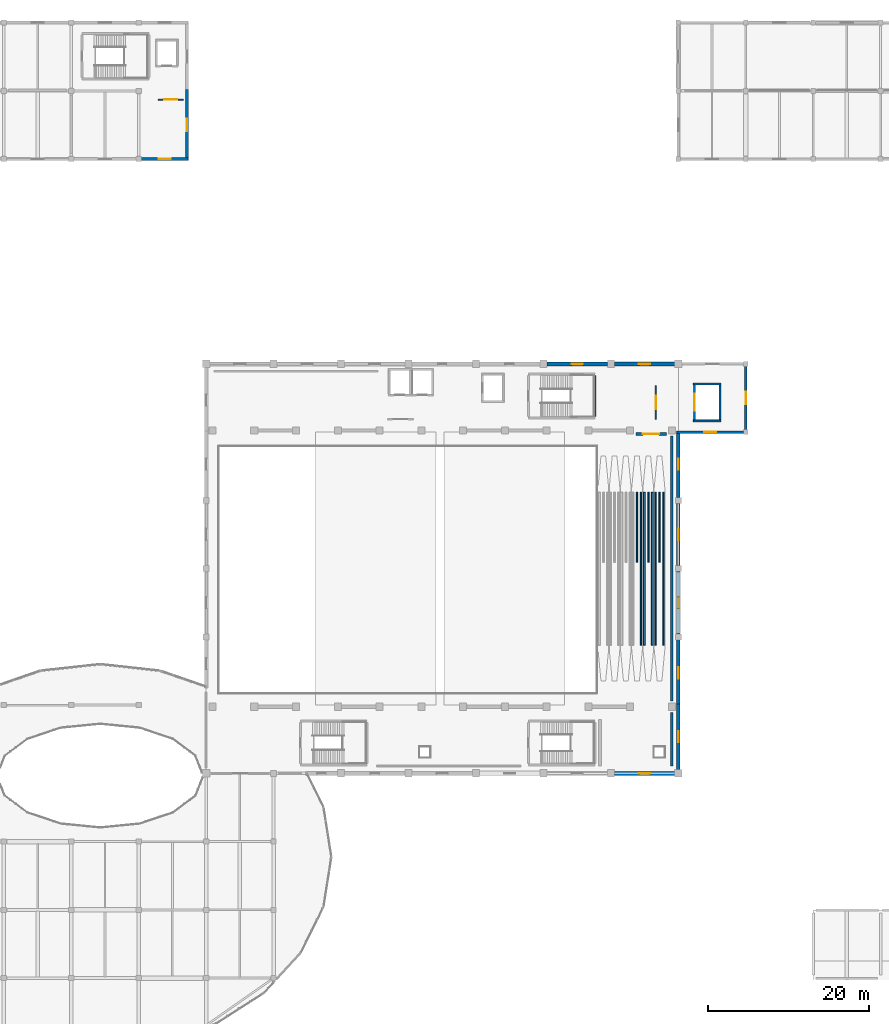
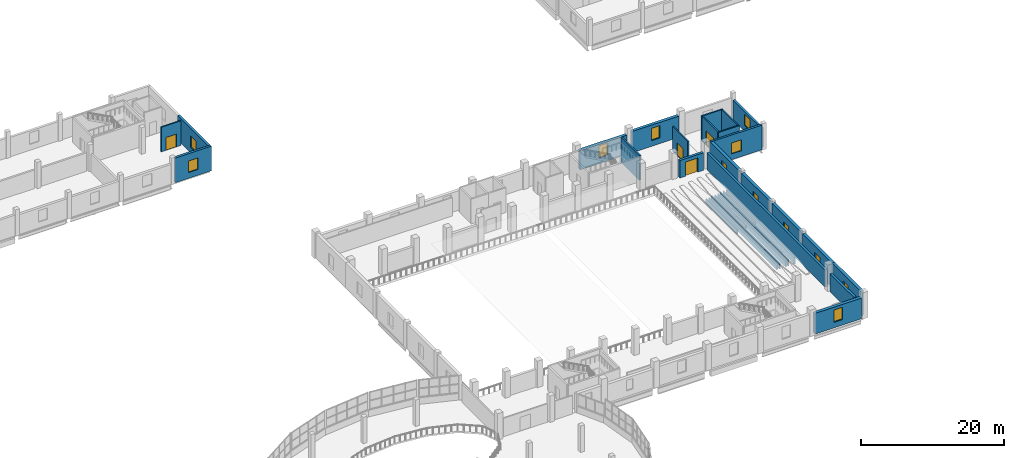
# One storey, part 39 of 50: 30 walls, 12 windows, 4 doors, 16 openings.
"""IFC4 building model written with IfcOpenShell, lengths in metres."""

from ifc_helpers import new_model, si_unit, direction, frame, frame_2d, origin, place, context, subcontext, project, spatial, rectangle, extrude, material, layer, layer_set, type_object, element, fill, save


model = new_model("IFC4")

# Units and contexts
model_context = context("Model", 3, precision=1e-05, world=origin(), true_north=direction((0.0, 1.0)))
body_context = subcontext(model_context, "Body", "Model", "MODEL_VIEW")
ifc_project = project(units=[si_unit("LENGTHUNIT", "METRE"), si_unit("AREAUNIT", "SQUARE_METRE"), si_unit("VOLUMEUNIT", "CUBIC_METRE"), si_unit("PLANEANGLEUNIT", "RADIAN"), si_unit("MASSUNIT", "GRAM", prefix="KILO")], contexts=[model_context])

# Site, building, storey
site_placement = place(None, origin())
site = spatial("IfcSite", under=ifc_project, at=site_placement, CompositionType="ELEMENT")
building_placement = place(site_placement, origin())
building = spatial("IfcBuilding", under=site, at=building_placement, Name="Solvento Point Concert Hall", CompositionType="ELEMENT")
storey_placement = place(building_placement, frame((0.0, 0.0, 15.0)))
storey = spatial("IfcBuildingStorey", under=building, at=storey_placement, Name="L03", CompositionType="ELEMENT", Elevation=15.0)

# Wall, opening, door
ifc_material_1 = material(Name="Acoustic Double-Stud Gypsum Partition")
ifc_layer_1 = layer(ifc_material_1, 0.2080078125)
ifc_layer_set_1 = layer_set([ifc_layer_1], Name="Acoustic Double-Stud Gypsum Partition")
wall_type_1 = type_object("IfcWallType", Name="AcousticPartition_208", PredefinedType="PARTITIONING", material=ifc_layer_set_1)
wall_1_placement = place(storey_placement, frame((68.39990234375, 126.39990234375, 0.0), z_axis=(0.0, 0.0, 1.0), x_axis=(1.0, 0.0, 0.0)))
wall_1 = element("IfcWall", 1, at=wall_1_placement, inside=storey, type_object=wall_type_1, Name="Lift lobby partition LP-03 L03", PredefinedType="PARTITIONING", context=body_context, shape_type="SweptSolid", body=[
    extrude(rectangle(XDim=3.2001953125, YDim=0.2080078125, at=frame_2d((1.60009765625, 0.0))), origin(), (0.0, 0.0, 1.0), 4.2099609375),
])
opening_1_placement = place(wall_1_placement, frame((0.77490234375, 0.0, 0.0)))
opening_1 = element("IfcOpeningElement", 2, at=opening_1_placement, cuts=wall_1, Name="Opening D-FL1", PredefinedType="OPENING", context=body_context, shape_type="SweptSolid", body=[
    extrude(rectangle(XDim=1.64990234375, YDim=2.199951171875, at=frame_2d((0.824951171875, 1.10009765625))), frame((0.0, 0.114013671875, 0.0), z_axis=(0.0, -1.0, 0.0), x_axis=(1.0, 0.0, 0.0)), (0.0, 0.0, 1.0), 0.22802734375),
])
ifc_material_2 = material(Name="Hollow Metal Acoustic Fire Door")
door_type_1 = type_object("IfcDoorType", Name="FireLobbyDoor_1600", OperationType="DOUBLE_DOOR_SINGLE_SWING", PredefinedType="DOOR", material=ifc_material_2)
door_1_placement = place(opening_1_placement, origin())
door_1 = element("IfcDoor", 3, at=door_1_placement, inside=storey, type_object=door_type_1, Name="Lift lobby door LP-03 L03", OperationType="DOUBLE_DOOR_SINGLE_SWING", OverallHeight=2.199951171875, OverallWidth=1.64990234375, PredefinedType="DOOR", context=body_context, shape_type="SweptSolid", body=[
    extrude(rectangle(XDim=1.64990234375, YDim=2.199951171875, at=frame_2d((0.824951171875, 1.10009765625))), frame((0.0, 0.02490234375, 0.0), z_axis=(0.0, -1.0, 0.0), x_axis=(1.0, 0.0, 0.0)), (0.0, 0.0, 1.0), 0.050048828125),
])
fill(opening_1, door_1)

wall_2_placement = place(storey_placement, frame((130.39990234375, 90.800048828125, 0.0), z_axis=(0.0, 0.0, 1.0), x_axis=(0.0, -1.0, 0.0)))
wall_2 = element("IfcWall", 4, at=wall_2_placement, inside=storey, type_object=wall_type_1, Name="Lift lobby partition LG-01 L03", PredefinedType="PARTITIONING", context=body_context, shape_type="SweptSolid", body=[
    extrude(rectangle(XDim=4.199951171875, YDim=0.2080078125, at=frame_2d((2.10009765625, 0.0))), origin(), (0.0, 0.0, 1.0), 4.2099609375),
])
opening_2_placement = place(wall_2_placement, frame((1.27490234375, 0.0, 0.0)))
opening_2 = element("IfcOpeningElement", 5, at=opening_2_placement, cuts=wall_2, Name="Opening D-FL1", PredefinedType="OPENING", context=body_context, shape_type="SweptSolid", body=[
    extrude(rectangle(XDim=1.64990234375, YDim=2.199951171875, at=frame_2d((0.824951171875, 1.10009765625))), frame((0.0, 0.114013671875, 0.0), z_axis=(0.0, -1.0, 0.0), x_axis=(1.0, 0.0, 0.0)), (0.0, 0.0, 1.0), 0.22802734375),
])
door_2_placement = place(opening_2_placement, origin())
door_2 = element("IfcDoor", 6, at=door_2_placement, inside=storey, type_object=door_type_1, Name="Lift lobby door LG-01 L03", OperationType="DOUBLE_DOOR_SINGLE_SWING", OverallHeight=2.199951171875, OverallWidth=1.64990234375, PredefinedType="DOOR", context=body_context, shape_type="SweptSolid", body=[
    extrude(rectangle(XDim=1.64990234375, YDim=2.199951171875, at=frame_2d((0.824951171875, 1.10009765625))), frame((0.0, 0.02490234375, 0.0), z_axis=(0.0, -1.0, 0.0), x_axis=(1.0, 0.0, 0.0)), (0.0, 0.0, 1.0), 0.050048828125),
])
fill(opening_2, door_2)

# Walls
ifc_material_3 = material(Name="Acoustic Double-Stud Gypsum Partition")
ifc_layer_2 = layer(ifc_material_3, 0.364990234375)
ifc_layer_set_2 = layer_set([ifc_layer_2], Name="Acoustic Double-Stud Gypsum Partition")
wall_type_2 = type_object("IfcWallType", Name="AcousticPartition_365", PredefinedType="PARTITIONING", material=ifc_layer_set_2)
wall_3_placement = place(storey_placement, frame((132.3798828125, 84.5, 0.0), z_axis=(0.0, 0.0, 1.0), x_axis=(0.0, -1.0, 0.0)))
element("IfcWall", 7, at=wall_3_placement, inside=storey, type_object=wall_type_2, Name="Interior acoustic partition PW-43 L03", PredefinedType="PARTITIONING", context=body_context, shape_type="SweptSolid", body=[
    extrude(rectangle(XDim=33.0, YDim=0.364990234375, at=frame_2d((16.5, 0.0))), origin(), (0.0, 0.0, 1.0), 2.887939453125),
])
wall_4_placement = place(storey_placement, frame((132.3798828125, 50.10009765625, 0.0), z_axis=(0.0, 0.0, 1.0), x_axis=(0.0, -1.0, 0.0)))
element("IfcWall", 8, at=wall_4_placement, inside=storey, type_object=wall_type_2, Name="Interior acoustic partition PW-43 L03", PredefinedType="PARTITIONING", context=body_context, shape_type="SweptSolid", body=[
    extrude(rectangle(XDim=6.68017578125, YDim=0.364990234375, at=frame_2d((3.340087890625, 0.0))), origin(), (0.0, 0.0, 1.0), 3.1298828125),
])

# Wall, opening, door
wall_5_placement = place(storey_placement, frame((131.699951171875, 84.780029296875, 0.0), z_axis=(0.0, 0.0, 1.0), x_axis=(-1.0, 0.0, 0.0)))
wall_5 = element("IfcWall", 9, at=wall_5_placement, inside=storey, type_object=wall_type_2, Name="Interior acoustic partition PW-43 L03", PredefinedType="PARTITIONING", context=body_context, shape_type="SweptSolid", body=[
    extrude(rectangle(XDim=3.800048828125, YDim=0.364990234375, at=frame_2d((1.89990234375, 0.0))), origin(), (0.0, 0.0, 1.0), 2.988037109375),
])
opening_3_placement = place(wall_5_placement, frame((0.89990234375, 0.0, 0.0)))
opening_3 = element("IfcOpeningElement", 10, at=opening_3_placement, cuts=wall_5, Name="Opening D-AC1", PredefinedType="OPENING", context=body_context, shape_type="SweptSolid", body=[
    extrude(rectangle(XDim=2.0, YDim=2.39990234375, at=frame_2d((1.0, 1.199951171875))), frame((0.0, 0.1923828125, 0.0), z_axis=(0.0, -1.0, 0.0), x_axis=(1.0, 0.0, 0.0)), (0.0, 0.0, 1.0), 0.385009765625),
])
ifc_material_4 = material(Name="Brazilian Hardwood Acoustic Door", Category="wood")
door_type_2 = type_object("IfcDoorType", Name="AcousticLockDoor_2000", OperationType="DOUBLE_DOOR_SINGLE_SWING", PredefinedType="DOOR", material=ifc_material_4)
door_3_placement = place(opening_3_placement, origin())
door_3 = element("IfcDoor", 11, at=door_3_placement, inside=storey, type_object=door_type_2, Name="Interior door D-AC1 L03", OperationType="SINGLE_SWING_RIGHT", OverallHeight=2.39990234375, OverallWidth=2.0, PredefinedType="DOOR", context=body_context, shape_type="SweptSolid", body=[
    extrude(rectangle(XDim=2.0, YDim=2.39990234375, at=frame_2d((1.0, 1.199951171875))), frame((0.0, 0.02490234375, 0.0), z_axis=(0.0, -1.0, 0.0), x_axis=(1.0, 0.0, 0.0)), (0.0, 0.0, 1.0), 0.050048828125),
])
fill(opening_3, door_3)

# Walls
ifc_material_5 = material(Name="Concrete C40/50", Category="concrete")
ifc_layer_3 = layer(ifc_material_5, 0.300048828125)
ifc_layer_set_3 = layer_set([ifc_layer_3], Name="Concrete C40/50")
wall_type_3 = type_object("IfcWallType", Name="CoreShearWall_300", PredefinedType="SHEAR", material=ifc_layer_set_3)
wall_6_placement = place(storey_placement, frame((122.85009765625, 92.050048828125, 0.0), z_axis=(0.0, 0.0, 1.0), x_axis=(0.0, -1.0, 0.0)))
element("IfcWall", 12, at=wall_6_placement, inside=storey, type_object=wall_type_3, Name="Stair core shear wall W-SH1 ST-03 L03", PredefinedType="SHEAR", context=body_context, shape_type="SweptSolid", body=[
    extrude(rectangle(XDim=5.10009765625, YDim=0.25, at=frame_2d((2.550048828125, 0.0))), origin(), (0.0, 0.0, 1.0), 4.2099609375),
])
for number, where, z_axis, x_axis, name in (
    (13, (135.090087890625, 86.39990234375, 0.0), (0.0, 0.0, 1.0), (1.0, 0.0, 0.0), "Elevator shaft shear wall W-SH1 LG-01 L03"),
    (14, (135.090087890625, 91.0, 0.0), (0.0, 0.0, 1.0), (1.0, 0.0, 0.0), "Elevator shaft shear wall W-SH1 LG-01 L03"),
):
    element("IfcWall", number, at=place(storey_placement, frame(where, z_axis=z_axis, x_axis=x_axis)), inside=storey, type_object=wall_type_3, Name=name, PredefinedType="SHEAR", context=body_context, shape_type="SweptSolid", body=[
        extrude(rectangle(XDim=3.419921875, YDim=0.219970703125, at=frame_2d((1.7099609375, 0.0))), origin(), (0.0, 0.0, 1.0), 4.2099609375),
    ])

# Wall, opening, door
wall_7_placement = place(storey_placement, frame((135.199951171875, 86.510009765625, 0.0), z_axis=(0.0, 0.0, 1.0), x_axis=(0.0, 1.0, 0.0)))
wall_7 = element("IfcWall", 15, at=wall_7_placement, inside=storey, type_object=wall_type_3, Name="Elevator shaft shear wall W-SH1 LG-01 L03", PredefinedType="SHEAR", context=body_context, shape_type="SweptSolid", body=[
    extrude(rectangle(XDim=4.3798828125, YDim=0.219970703125, at=frame_2d((2.18994140625, 0.0))), origin(), (0.0, 0.0, 1.0), 4.2099609375),
])
opening_4_placement = place(wall_7_placement, frame((1.139892578125, 0.0, 0.0)))
opening_4 = element("IfcOpeningElement", 16, at=opening_4_placement, cuts=wall_7, Name="Opening LD-03", PredefinedType="OPENING", context=body_context, shape_type="SweptSolid", body=[
    extrude(rectangle(XDim=2.10009765625, YDim=2.449951171875, at=frame_2d((1.050048828125, 1.22509765625))), frame((0.0, 0.119873046875, 0.0), z_axis=(0.0, -1.0, 0.0), x_axis=(1.0, 0.0, 0.0)), (0.0, 0.0, 1.0), 0.239990234375),
])
ifc_material_6 = material(Name="Hollow Metal Acoustic Fire Door")
door_type_3 = type_object("IfcDoorType", Name="LiftLandingDoor_Goods", OperationType="DOUBLE_DOOR_SLIDING", PredefinedType="DOOR", material=ifc_material_6)
door_4_placement = place(opening_4_placement, origin())
door_4 = element("IfcDoor", 17, at=door_4_placement, inside=storey, type_object=door_type_3, Name="Elevator landing door LG-01 L03", OperationType="DOUBLE_DOOR_SLIDING", OverallHeight=2.449951171875, OverallWidth=2.10009765625, PredefinedType="DOOR", context=body_context, shape_type="SweptSolid", body=[
    extrude(rectangle(XDim=2.10009765625, YDim=2.449951171875, at=frame_2d((1.050048828125, 1.22509765625))), frame((0.0, 0.02490234375, 0.0), z_axis=(0.0, -1.0, 0.0), x_axis=(1.0, 0.0, 0.0)), (0.0, 0.0, 1.0), 0.050048828125),
])
fill(opening_4, door_4)

# Wall
wall_8_placement = place(storey_placement, frame((138.39990234375, 86.510009765625, 0.0), z_axis=(0.0, 0.0, 1.0), x_axis=(0.0, 1.0, 0.0)))
element("IfcWall", 18, at=wall_8_placement, inside=storey, type_object=wall_type_3, Name="Elevator shaft shear wall W-SH1 LG-01 L03", PredefinedType="SHEAR", context=body_context, shape_type="SweptSolid", body=[
    extrude(rectangle(XDim=4.3798828125, YDim=0.219970703125, at=frame_2d((2.18994140625, 0.0))), origin(), (0.0, 0.0, 1.0), 4.2099609375),
])

# Wall, opening, window
ifc_material_7 = material(Name="Concrete C40/50", Category="concrete")
ifc_layer_4 = layer(ifc_material_7, 0.47998046875)
ifc_layer_set_4 = layer_set([ifc_layer_4], Name="Concrete C40/50")
wall_type_4 = type_object("IfcWallType", Name="ExtWall_V1_Drum_480", PredefinedType="SOLIDWALL", material=ifc_layer_set_4)
wall_9_placement = place(storey_placement, frame((116.830078125, 93.5, 0.0), z_axis=(0.0, 0.0, 1.0), x_axis=(1.0, 0.0, 0.0)))
wall_9 = element("IfcWall", 19, at=wall_9_placement, inside=storey, type_object=wall_type_4, Name="Exterior architectural concrete wall EW-46 L03", PredefinedType="SOLIDWALL", context=body_context, shape_type="SweptSolid", body=[
    extrude(rectangle(XDim=7.5400390625, YDim=0.47998046875, at=frame_2d((3.77001953125, 0.0))), origin(), (0.0, 0.0, 1.0), 3.2939453125),
])
opening_5_placement = place(wall_9_placement, frame((3.070068359375, 0.0, 0.949951171875)))
opening_5 = element("IfcOpeningElement", 20, at=opening_5_placement, cuts=wall_9, Name="Opening WN-52", PredefinedType="OPENING", context=body_context, shape_type="SweptSolid", body=[
    extrude(rectangle(XDim=1.39990234375, YDim=2.10009765625, at=frame_2d((0.699951171875, 1.050048828125))), frame((0.0, 0.25, 0.0), z_axis=(0.0, -1.0, 0.0), x_axis=(1.0, 0.0, 0.0)), (0.0, 0.0, 1.0), 0.5),
])
ifc_material_8 = material(Name="Hurricane Laminated Low-E Glass", Category="glass")
window_type_1 = type_object("IfcWindowType", Name="Win_V1_VineyardSlot_L03", PartitioningType="SINGLE_PANEL", PredefinedType="WINDOW", material=ifc_material_8)
window_1_placement = place(opening_5_placement, origin())
window_1 = element("IfcWindow", 21, at=window_1_placement, inside=storey, type_object=window_type_1, Name="Impact acoustic window WN-52", OverallHeight=2.10009765625, OverallWidth=1.39990234375, PartitioningType="SINGLE_PANEL", PredefinedType="WINDOW", context=body_context, shape_type="SweptSolid", body=[
    extrude(rectangle(XDim=1.39990234375, YDim=2.10009765625, at=frame_2d((0.699951171875, 1.050048828125))), frame((0.0, 0.030029296875, 0.0), z_axis=(0.0, -1.0, 0.0), x_axis=(1.0, 0.0, 0.0)), (0.0, 0.0, 1.0), 0.06005859375),
])
fill(opening_5, window_1)

wall_10_placement = place(storey_placement, frame((125.22998046875, 93.5, 0.0), z_axis=(0.0, 0.0, 1.0), x_axis=(1.0, 0.0, 0.0)))
wall_10 = element("IfcWall", 22, at=wall_10_placement, inside=storey, type_object=wall_type_4, Name="Exterior architectural concrete wall EW-46 L03", PredefinedType="SOLIDWALL", context=body_context, shape_type="SweptSolid", body=[
    extrude(rectangle(XDim=7.5400390625, YDim=0.47998046875, at=frame_2d((3.77001953125, 0.0))), origin(), (0.0, 0.0, 1.0), 3.615966796875),
])
opening_6_placement = place(wall_10_placement, frame((3.070068359375, 0.0, 0.949951171875)))
opening_6 = element("IfcOpeningElement", 23, at=opening_6_placement, cuts=wall_10, Name="Opening WN-52", PredefinedType="OPENING", context=body_context, shape_type="SweptSolid", body=[
    extrude(rectangle(XDim=1.39990234375, YDim=2.10009765625, at=frame_2d((0.699951171875, 1.050048828125))), frame((0.0, 0.25, 0.0), z_axis=(0.0, -1.0, 0.0), x_axis=(1.0, 0.0, 0.0)), (0.0, 0.0, 1.0), 0.5),
])
window_2_placement = place(opening_6_placement, origin())
window_2 = element("IfcWindow", 24, at=window_2_placement, inside=storey, type_object=window_type_1, Name="Impact acoustic window WN-52", OverallHeight=2.10009765625, OverallWidth=1.39990234375, PartitioningType="SINGLE_PANEL", PredefinedType="WINDOW", context=body_context, shape_type="SweptSolid", body=[
    extrude(rectangle(XDim=1.39990234375, YDim=2.10009765625, at=frame_2d((0.699951171875, 1.050048828125))), frame((0.0, 0.030029296875, 0.0), z_axis=(0.0, -1.0, 0.0), x_axis=(1.0, 0.0, 0.0)), (0.0, 0.0, 1.0), 0.06005859375),
])
fill(opening_6, window_2)

wall_11_placement = place(storey_placement, frame((133.199951171875, 51.159912109375, 0.0), z_axis=(0.0, 0.0, 1.0), x_axis=(0.0, -1.0, 0.0)))
wall_11 = element("IfcWall", 25, at=wall_11_placement, inside=storey, type_object=wall_type_4, Name="Exterior architectural concrete wall EW-46 L03", PredefinedType="SOLIDWALL", context=body_context, shape_type="SweptSolid", body=[
    extrude(rectangle(XDim=8.22998046875, YDim=0.47998046875, at=frame_2d((4.114990234375, 0.0))), origin(), (0.0, 0.0, 1.0), 4.2099609375),
])
opening_7_placement = place(wall_11_placement, frame((3.4150390625, 0.0, 0.949951171875)))
opening_7 = element("IfcOpeningElement", 26, at=opening_7_placement, cuts=wall_11, Name="Opening WN-52", PredefinedType="OPENING", context=body_context, shape_type="SweptSolid", body=[
    extrude(rectangle(XDim=1.39990234375, YDim=2.10009765625, at=frame_2d((0.699951171875, 1.050048828125))), frame((0.0, 0.25, 0.0), z_axis=(0.0, -1.0, 0.0), x_axis=(1.0, 0.0, 0.0)), (0.0, 0.0, 1.0), 0.5),
])
window_3_placement = place(opening_7_placement, origin())
window_3 = element("IfcWindow", 27, at=window_3_placement, inside=storey, type_object=window_type_1, Name="Impact acoustic window WN-52", OverallHeight=2.10009765625, OverallWidth=1.39990234375, PartitioningType="SINGLE_PANEL", PredefinedType="WINDOW", context=body_context, shape_type="SweptSolid", body=[
    extrude(rectangle(XDim=1.39990234375, YDim=2.10009765625, at=frame_2d((0.699951171875, 1.050048828125))), frame((0.0, 0.030029296875, 0.0), z_axis=(0.0, -1.0, 0.0), x_axis=(1.0, 0.0, 0.0)), (0.0, 0.0, 1.0), 0.06005859375),
])
fill(opening_7, window_3)

wall_12_placement = place(storey_placement, frame((133.199951171875, 59.14501953125, 0.0), z_axis=(0.0, 0.0, 1.0), x_axis=(0.0, -1.0, 0.0)))
wall_12 = element("IfcWall", 28, at=wall_12_placement, inside=storey, type_object=wall_type_4, Name="Exterior architectural concrete wall EW-46 L03", PredefinedType="SOLIDWALL", context=body_context, shape_type="SweptSolid", body=[
    extrude(rectangle(XDim=8.304931640625, YDim=0.47998046875, at=frame_2d((4.15234375, 0.0))), origin(), (0.0, 0.0, 1.0), 4.2099609375),
])
opening_8_placement = place(wall_12_placement, frame((3.452392578125, 0.0, 0.949951171875)))
opening_8 = element("IfcOpeningElement", 29, at=opening_8_placement, cuts=wall_12, Name="Opening WN-52", PredefinedType="OPENING", context=body_context, shape_type="SweptSolid", body=[
    extrude(rectangle(XDim=1.39990234375, YDim=2.10009765625, at=frame_2d((0.699951171875, 1.050048828125))), frame((0.0, 0.25, 0.0), z_axis=(0.0, -1.0, 0.0), x_axis=(1.0, 0.0, 0.0)), (0.0, 0.0, 1.0), 0.5),
])
window_4_placement = place(opening_8_placement, origin())
window_4 = element("IfcWindow", 30, at=window_4_placement, inside=storey, type_object=window_type_1, Name="Impact acoustic window WN-52", OverallHeight=2.10009765625, OverallWidth=1.39990234375, PartitioningType="SINGLE_PANEL", PredefinedType="WINDOW", context=body_context, shape_type="SweptSolid", body=[
    extrude(rectangle(XDim=1.39990234375, YDim=2.10009765625, at=frame_2d((0.699951171875, 1.050048828125))), frame((0.0, 0.030029296875, 0.0), z_axis=(0.0, -1.0, 0.0), x_axis=(1.0, 0.0, 0.0)), (0.0, 0.0, 1.0), 0.06005859375),
])
fill(opening_8, window_4)

wall_13_placement = place(storey_placement, frame((133.199951171875, 67.64501953125, 0.0), z_axis=(0.0, 0.0, 1.0), x_axis=(0.0, -1.0, 0.0)))
wall_13 = element("IfcWall", 31, at=wall_13_placement, inside=storey, type_object=wall_type_4, Name="Exterior architectural concrete wall EW-46 L03", PredefinedType="SOLIDWALL", context=body_context, shape_type="SweptSolid", body=[
    extrude(rectangle(XDim=7.7900390625, YDim=0.47998046875, at=frame_2d((3.89501953125, 0.0))), origin(), (0.0, 0.0, 1.0), 4.2099609375),
])
opening_9_placement = place(wall_13_placement, frame((3.195068359375, 0.0, 0.949951171875)))
opening_9 = element("IfcOpeningElement", 32, at=opening_9_placement, cuts=wall_13, Name="Opening WN-52", PredefinedType="OPENING", context=body_context, shape_type="SweptSolid", body=[
    extrude(rectangle(XDim=1.39990234375, YDim=2.10009765625, at=frame_2d((0.699951171875, 1.050048828125))), frame((0.0, 0.25, 0.0), z_axis=(0.0, -1.0, 0.0), x_axis=(1.0, 0.0, 0.0)), (0.0, 0.0, 1.0), 0.5),
])
window_5_placement = place(opening_9_placement, origin())
window_5 = element("IfcWindow", 33, at=window_5_placement, inside=storey, type_object=window_type_1, Name="Impact acoustic window WN-52", OverallHeight=2.10009765625, OverallWidth=1.39990234375, PartitioningType="SINGLE_PANEL", PredefinedType="WINDOW", context=body_context, shape_type="SweptSolid", body=[
    extrude(rectangle(XDim=1.39990234375, YDim=2.10009765625, at=frame_2d((0.699951171875, 1.050048828125))), frame((0.0, 0.030029296875, 0.0), z_axis=(0.0, -1.0, 0.0), x_axis=(1.0, 0.0, 0.0)), (0.0, 0.0, 1.0), 0.06005859375),
])
fill(opening_9, window_5)

wall_14_placement = place(storey_placement, frame((133.199951171875, 76.14501953125, 0.0), z_axis=(0.0, 0.0, 1.0), x_axis=(0.0, -1.0, 0.0)))
wall_14 = element("IfcWall", 34, at=wall_14_placement, inside=storey, type_object=wall_type_4, Name="Exterior architectural concrete wall EW-46 L03", PredefinedType="SOLIDWALL", context=body_context, shape_type="SweptSolid", body=[
    extrude(rectangle(XDim=7.7900390625, YDim=0.47998046875, at=frame_2d((3.89501953125, 0.0))), origin(), (0.0, 0.0, 1.0), 4.2099609375),
])
opening_10_placement = place(wall_14_placement, frame((3.195068359375, 0.0, 0.949951171875)))
opening_10 = element("IfcOpeningElement", 35, at=opening_10_placement, cuts=wall_14, Name="Opening WN-52", PredefinedType="OPENING", context=body_context, shape_type="SweptSolid", body=[
    extrude(rectangle(XDim=1.39990234375, YDim=2.10009765625, at=frame_2d((0.699951171875, 1.050048828125))), frame((0.0, 0.25, 0.0), z_axis=(0.0, -1.0, 0.0), x_axis=(1.0, 0.0, 0.0)), (0.0, 0.0, 1.0), 0.5),
])
window_6_placement = place(opening_10_placement, origin())
window_6 = element("IfcWindow", 36, at=window_6_placement, inside=storey, type_object=window_type_1, Name="Impact acoustic window WN-52", OverallHeight=2.10009765625, OverallWidth=1.39990234375, PartitioningType="SINGLE_PANEL", PredefinedType="WINDOW", context=body_context, shape_type="SweptSolid", body=[
    extrude(rectangle(XDim=1.39990234375, YDim=2.10009765625, at=frame_2d((0.699951171875, 1.050048828125))), frame((0.0, 0.030029296875, 0.0), z_axis=(0.0, -1.0, 0.0), x_axis=(1.0, 0.0, 0.0)), (0.0, 0.0, 1.0), 0.06005859375),
])
fill(opening_10, window_6)

wall_15_placement = place(storey_placement, frame((133.199951171875, 85.159912109375, 0.0), z_axis=(0.0, 0.0, 1.0), x_axis=(0.0, -1.0, 0.0)))
wall_15 = element("IfcWall", 37, at=wall_15_placement, inside=storey, type_object=wall_type_4, Name="Exterior architectural concrete wall EW-46 L03", PredefinedType="SOLIDWALL", context=body_context, shape_type="SweptSolid", body=[
    extrude(rectangle(XDim=8.304931640625, YDim=0.47998046875, at=frame_2d((4.15234375, 0.0))), origin(), (0.0, 0.0, 1.0), 4.2099609375),
])
opening_11_placement = place(wall_15_placement, frame((3.452392578125, 0.0, 0.949951171875)))
opening_11 = element("IfcOpeningElement", 38, at=opening_11_placement, cuts=wall_15, Name="Opening WN-52", PredefinedType="OPENING", context=body_context, shape_type="SweptSolid", body=[
    extrude(rectangle(XDim=1.39990234375, YDim=2.10009765625, at=frame_2d((0.699951171875, 1.050048828125))), frame((0.0, 0.25, 0.0), z_axis=(0.0, -1.0, 0.0), x_axis=(1.0, 0.0, 0.0)), (0.0, 0.0, 1.0), 0.5),
])
window_7_placement = place(opening_11_placement, origin())
window_7 = element("IfcWindow", 39, at=window_7_placement, inside=storey, type_object=window_type_1, Name="Impact acoustic window WN-52", OverallHeight=2.10009765625, OverallWidth=1.39990234375, PartitioningType="SINGLE_PANEL", PredefinedType="WINDOW", context=body_context, shape_type="SweptSolid", body=[
    extrude(rectangle(XDim=1.39990234375, YDim=2.10009765625, at=frame_2d((0.699951171875, 1.050048828125))), frame((0.0, 0.030029296875, 0.0), z_axis=(0.0, -1.0, 0.0), x_axis=(1.0, 0.0, 0.0)), (0.0, 0.0, 1.0), 0.06005859375),
])
fill(opening_11, window_7)

wall_16_placement = place(storey_placement, frame((132.77001953125, 42.5, 0.0), z_axis=(0.0, 0.0, 1.0), x_axis=(-1.0, 0.0, 0.0)))
wall_16 = element("IfcWall", 40, at=wall_16_placement, inside=storey, type_object=wall_type_4, Name="Exterior architectural concrete wall EW-46 L03", PredefinedType="SOLIDWALL", context=body_context, shape_type="SweptSolid", body=[
    extrude(rectangle(XDim=7.5400390625, YDim=0.47998046875, at=frame_2d((3.77001953125, 0.0))), origin(), (0.0, 0.0, 1.0), 3.531005859375),
])
opening_12_placement = place(wall_16_placement, frame((3.070068359375, 0.0, 0.949951171875)))
opening_12 = element("IfcOpeningElement", 41, at=opening_12_placement, cuts=wall_16, Name="Opening WN-52", PredefinedType="OPENING", context=body_context, shape_type="SweptSolid", body=[
    extrude(rectangle(XDim=1.39990234375, YDim=2.10009765625, at=frame_2d((0.699951171875, 1.050048828125))), frame((0.0, 0.25, 0.0), z_axis=(0.0, -1.0, 0.0), x_axis=(1.0, 0.0, 0.0)), (0.0, 0.0, 1.0), 0.5),
])
window_8_placement = place(opening_12_placement, origin())
window_8 = element("IfcWindow", 42, at=window_8_placement, inside=storey, type_object=window_type_1, Name="Impact acoustic window WN-52", OverallHeight=2.10009765625, OverallWidth=1.39990234375, PartitioningType="SINGLE_PANEL", PredefinedType="WINDOW", context=body_context, shape_type="SweptSolid", body=[
    extrude(rectangle(XDim=1.39990234375, YDim=2.10009765625, at=frame_2d((0.699951171875, 1.050048828125))), frame((0.0, 0.030029296875, 0.0), z_axis=(0.0, -1.0, 0.0), x_axis=(1.0, 0.0, 0.0)), (0.0, 0.0, 1.0), 0.06005859375),
])
fill(opening_12, window_8)

ifc_material_9 = material(Name="Concrete C40/50", Category="concrete")
ifc_layer_5 = layer(ifc_material_9, 0.3701171875)
ifc_layer_set_5 = layer_set([ifc_layer_5], Name="Concrete C40/50")
wall_type_5 = type_object("IfcWallType", Name="ExtWall_V4_Reh_370", PredefinedType="SOLIDWALL", material=ifc_layer_set_5)
wall_17_placement = place(storey_placement, frame((72.0, 127.659912109375, 0.0), z_axis=(0.0, 0.0, 1.0), x_axis=(0.0, -1.0, 0.0)))
wall_17 = element("IfcWall", 43, at=wall_17_placement, inside=storey, type_object=wall_type_5, Name="Exterior architectural concrete wall EW-85 L03", PredefinedType="SOLIDWALL", context=body_context, shape_type="SweptSolid", body=[
    extrude(rectangle(XDim=8.81982421875, YDim=0.3701171875, at=frame_2d((4.409912109375, 0.0))), origin(), (0.0, 0.0, 1.0), 4.2099609375),
])
opening_13_placement = place(wall_17_placement, frame((3.659912109375, 0.0, 1.0)))
opening_13 = element("IfcOpeningElement", 44, at=opening_13_placement, cuts=wall_17, Name="Opening WN-71", PredefinedType="OPENING", context=body_context, shape_type="SweptSolid", body=[
    extrude(rectangle(XDim=1.5, YDim=1.949951171875, at=frame_2d((0.75, 0.97509765625))), frame((0.0, 0.195068359375, 0.0), z_axis=(0.0, -1.0, 0.0), x_axis=(1.0, 0.0, 0.0)), (0.0, 0.0, 1.0), 0.39013671875),
])
ifc_material_10 = material(Name="Hurricane Laminated Low-E Glass", Category="glass")
window_type_2 = type_object("IfcWindowType", Name="Win_V4_Recording_L03", PartitioningType="SINGLE_PANEL", PredefinedType="WINDOW", material=ifc_material_10)
window_9_placement = place(opening_13_placement, origin())
window_9 = element("IfcWindow", 45, at=window_9_placement, inside=storey, type_object=window_type_2, Name="Impact acoustic window WN-71", OverallHeight=1.949951171875, OverallWidth=1.5, PartitioningType="SINGLE_PANEL", PredefinedType="WINDOW", context=body_context, shape_type="SweptSolid", body=[
    extrude(rectangle(XDim=1.5, YDim=1.949951171875, at=frame_2d((0.75, 0.97509765625))), frame((0.0, 0.030029296875, 0.0), z_axis=(0.0, -1.0, 0.0), x_axis=(1.0, 0.0, 0.0)), (0.0, 0.0, 1.0), 0.06005859375),
])
fill(opening_13, window_9)

wall_18_placement = place(storey_placement, frame((72.159912109375, 119.0, 0.0), z_axis=(0.0, 0.0, 1.0), x_axis=(-1.0, 0.0, 0.0)))
wall_18 = element("IfcWall", 46, at=wall_18_placement, inside=storey, type_object=wall_type_5, Name="Exterior architectural concrete wall EW-85 L03", PredefinedType="SOLIDWALL", context=body_context, shape_type="SweptSolid", body=[
    extrude(rectangle(XDim=5.85498046875, YDim=0.3701171875, at=frame_2d((2.927490234375, 0.0))), origin(), (0.0, 0.0, 1.0), 4.2099609375),
])
opening_14_placement = place(wall_18_placement, frame((2.177490234375, 0.0, 1.0)))
opening_14 = element("IfcOpeningElement", 47, at=opening_14_placement, cuts=wall_18, Name="Opening WN-71", PredefinedType="OPENING", context=body_context, shape_type="SweptSolid", body=[
    extrude(rectangle(XDim=1.5, YDim=1.949951171875, at=frame_2d((0.75, 0.97509765625))), frame((0.0, 0.195068359375, 0.0), z_axis=(0.0, -1.0, 0.0), x_axis=(1.0, 0.0, 0.0)), (0.0, 0.0, 1.0), 0.39013671875),
])
window_10_placement = place(opening_14_placement, origin())
window_10 = element("IfcWindow", 48, at=window_10_placement, inside=storey, type_object=window_type_2, Name="Impact acoustic window WN-71", OverallHeight=1.949951171875, OverallWidth=1.5, PartitioningType="SINGLE_PANEL", PredefinedType="WINDOW", context=body_context, shape_type="SweptSolid", body=[
    extrude(rectangle(XDim=1.5, YDim=1.949951171875, at=frame_2d((0.75, 0.97509765625))), frame((0.0, 0.030029296875, 0.0), z_axis=(0.0, -1.0, 0.0), x_axis=(1.0, 0.0, 0.0)), (0.0, 0.0, 1.0), 0.06005859375),
])
fill(opening_14, window_10)

ifc_material_11 = material(Name="Concrete C35/45", Category="concrete")
ifc_layer_6 = layer(ifc_material_11, 0.330078125)
ifc_layer_set_6 = layer_set([ifc_layer_6], Name="Concrete C35/45")
wall_type_6 = type_object("IfcWallType", Name="ExtWall_V5_Plinth_330", PredefinedType="SOLIDWALL", material=ifc_layer_set_6)
wall_19_placement = place(storey_placement, frame((141.60009765625, 93.219970703125, 0.0), z_axis=(0.0, 0.0, 1.0), x_axis=(0.0, -1.0, 0.0)))
wall_19 = element("IfcWall", 49, at=wall_19_placement, inside=storey, type_object=wall_type_6, Name="Exterior architectural concrete wall EW-72 L03", PredefinedType="SOLIDWALL", context=body_context, shape_type="SweptSolid", body=[
    extrude(rectangle(XDim=7.93994140625, YDim=0.330078125, at=frame_2d((3.969970703125, 0.0))), origin(), (0.0, 0.0, 1.0), 3.3349609375),
])
opening_15_placement = place(wall_19_placement, frame((3.195068359375, 0.0, 1.0)))
opening_15 = element("IfcOpeningElement", 50, at=opening_15_placement, cuts=wall_19, Name="Opening WN-94", PredefinedType="OPENING", context=body_context, shape_type="SweptSolid", body=[
    extrude(rectangle(XDim=1.550048828125, YDim=1.85009765625, at=frame_2d((0.77490234375, 0.925048828125))), frame((0.0, 0.175048828125, 0.0), z_axis=(0.0, -1.0, 0.0), x_axis=(1.0, 0.0, 0.0)), (0.0, 0.0, 1.0), 0.35009765625),
])
ifc_material_12 = material(Name="Hurricane Laminated Low-E Glass", Category="glass")
window_type_3 = type_object("IfcWindowType", Name="Win_V5_PostProd_L03", PartitioningType="SINGLE_PANEL", PredefinedType="WINDOW", material=ifc_material_12)
window_11_placement = place(opening_15_placement, origin())
window_11 = element("IfcWindow", 51, at=window_11_placement, inside=storey, type_object=window_type_3, Name="Impact acoustic window WN-94", OverallHeight=1.85009765625, OverallWidth=1.550048828125, PartitioningType="SINGLE_PANEL", PredefinedType="WINDOW", context=body_context, shape_type="SweptSolid", body=[
    extrude(rectangle(XDim=1.550048828125, YDim=1.85009765625, at=frame_2d((0.77490234375, 0.925048828125))), frame((0.0, 0.030029296875, 0.0), z_axis=(0.0, -1.0, 0.0), x_axis=(1.0, 0.0, 0.0)), (0.0, 0.0, 1.0), 0.06005859375),
])
fill(opening_15, window_11)

wall_20_placement = place(storey_placement, frame((141.320068359375, 85.0, 0.0), z_axis=(0.0, 0.0, 1.0), x_axis=(-1.0, 0.0, 0.0)))
wall_20 = element("IfcWall", 52, at=wall_20_placement, inside=storey, type_object=wall_type_6, Name="Exterior architectural concrete wall EW-72 L03", PredefinedType="SOLIDWALL", context=body_context, shape_type="SweptSolid", body=[
    extrude(rectangle(XDim=8.280029296875, YDim=0.330078125, at=frame_2d((4.14013671875, 0.0))), origin(), (0.0, 0.0, 1.0), 4.2099609375),
])
opening_16_placement = place(wall_20_placement, frame((3.364990234375, 0.0, 1.0)))
opening_16 = element("IfcOpeningElement", 53, at=opening_16_placement, cuts=wall_20, Name="Opening WN-94", PredefinedType="OPENING", context=body_context, shape_type="SweptSolid", body=[
    extrude(rectangle(XDim=1.550048828125, YDim=1.85009765625, at=frame_2d((0.77490234375, 0.925048828125))), frame((0.0, 0.175048828125, 0.0), z_axis=(0.0, -1.0, 0.0), x_axis=(1.0, 0.0, 0.0)), (0.0, 0.0, 1.0), 0.35009765625),
])
window_12_placement = place(opening_16_placement, origin())
window_12 = element("IfcWindow", 54, at=window_12_placement, inside=storey, type_object=window_type_3, Name="Impact acoustic window WN-94", OverallHeight=1.85009765625, OverallWidth=1.550048828125, PartitioningType="SINGLE_PANEL", PredefinedType="WINDOW", context=body_context, shape_type="SweptSolid", body=[
    extrude(rectangle(XDim=1.550048828125, YDim=1.85009765625, at=frame_2d((0.77490234375, 0.925048828125))), frame((0.0, 0.030029296875, 0.0), z_axis=(0.0, -1.0, 0.0), x_axis=(1.0, 0.0, 0.0)), (0.0, 0.0, 1.0), 0.06005859375),
])
fill(opening_16, window_12)

# Walls
ifc_material_13 = material(Name="Concrete C35/45", Category="concrete")
ifc_layer_7 = layer(ifc_material_13, 0.25)
ifc_layer_set_7 = layer_set([ifc_layer_7], Name="Concrete C35/45")
wall_type_7 = type_object("IfcWallType", Name="TierSupportWall_250", PredefinedType="SHEAR", material=ifc_layer_set_7)
wall_21_placement = place(storey_placement, frame((128.56005859375, 58.47998046875, 0.0), z_axis=(0.0, 0.0, 1.0), x_axis=(0.0, 1.0, 0.0)))
element("IfcWall", 55, at=wall_21_placement, inside=storey, type_object=wall_type_7, Name="Seating tier rear support wall W-TR1 TIER-L03-VIN-04", PredefinedType="SHEAR", context=body_context, shape_type="SweptSolid", body=[
    extrude(rectangle(XDim=19.0400390625, YDim=0.199951171875, at=frame_2d((9.52001953125, 0.0))), origin(), (0.0, 0.0, 1.0), 0.72998046875),
])
wall_22_placement = place(storey_placement, frame((128.06005859375, 68.800048828125, 0.0), z_axis=(0.0, 0.0, 1.0), x_axis=(0.0, 1.0, 0.0)))
element("IfcWall", 56, at=wall_22_placement, inside=storey, type_object=wall_type_7, Name="Seating tier spine support wall W-TR1 TIER-L03-VIN-04", PredefinedType="SHEAR", context=body_context, shape_type="SweptSolid", body=[
    extrude(rectangle(XDim=8.719970703125, YDim=0.179931640625, at=frame_2d((4.35986328125, 0.0))), origin(), (0.0, 0.0, 1.0), 0.72998046875),
])
for number, where, z_axis, x_axis, name in (
    (57, (128.9599609375, 58.47998046875, 0.0), (0.0, 0.0, 1.0), (0.0, 1.0, 0.0), "Seating tier riser support wall W-TR1 TIER-L03-VIN-05"),
    (58, (129.9599609375, 58.47998046875, 0.0), (0.0, 0.0, 1.0), (0.0, 1.0, 0.0), "Seating tier rear support wall W-TR1 TIER-L03-VIN-05"),
):
    element("IfcWall", number, at=place(storey_placement, frame(where, z_axis=z_axis, x_axis=x_axis)), inside=storey, type_object=wall_type_7, Name=name, PredefinedType="SHEAR", context=body_context, shape_type="SweptSolid", body=[
        extrude(rectangle(XDim=19.0400390625, YDim=0.199951171875, at=frame_2d((9.52001953125, 0.0))), origin(), (0.0, 0.0, 1.0), 0.909912109375),
    ])
wall_23_placement = place(storey_placement, frame((129.4599609375, 68.800048828125, 0.0), z_axis=(0.0, 0.0, 1.0), x_axis=(0.0, 1.0, 0.0)))
element("IfcWall", 59, at=wall_23_placement, inside=storey, type_object=wall_type_7, Name="Seating tier spine support wall W-TR1 TIER-L03-VIN-05", PredefinedType="SHEAR", context=body_context, shape_type="SweptSolid", body=[
    extrude(rectangle(XDim=8.719970703125, YDim=0.179931640625, at=frame_2d((4.35986328125, 0.0))), origin(), (0.0, 0.0, 1.0), 0.909912109375),
])
for number, where, z_axis, x_axis, name in (
    (60, (130.360107421875, 58.47998046875, 0.0), (0.0, 0.0, 1.0), (0.0, 1.0, 0.0), "Seating tier riser support wall W-TR1 TIER-L03-VIN-06"),
    (61, (131.360107421875, 58.47998046875, 0.0), (0.0, 0.0, 1.0), (0.0, 1.0, 0.0), "Seating tier rear support wall W-TR1 TIER-L03-VIN-06"),
):
    element("IfcWall", number, at=place(storey_placement, frame(where, z_axis=z_axis, x_axis=x_axis)), inside=storey, type_object=wall_type_7, Name=name, PredefinedType="SHEAR", context=body_context, shape_type="SweptSolid", body=[
        extrude(rectangle(XDim=19.0400390625, YDim=0.199951171875, at=frame_2d((9.52001953125, 0.0))), origin(), (0.0, 0.0, 1.0), 1.090087890625),
    ])
wall_24_placement = place(storey_placement, frame((130.860107421875, 68.800048828125, 0.0), z_axis=(0.0, 0.0, 1.0), x_axis=(0.0, 1.0, 0.0)))
element("IfcWall", 62, at=wall_24_placement, inside=storey, type_object=wall_type_7, Name="Seating tier spine support wall W-TR1 TIER-L03-VIN-06", PredefinedType="SHEAR", context=body_context, shape_type="SweptSolid", body=[
    extrude(rectangle(XDim=8.719970703125, YDim=0.179931640625, at=frame_2d((4.35986328125, 0.0))), origin(), (0.0, 0.0, 1.0), 1.090087890625),
])

save(model, "model.ifc")
